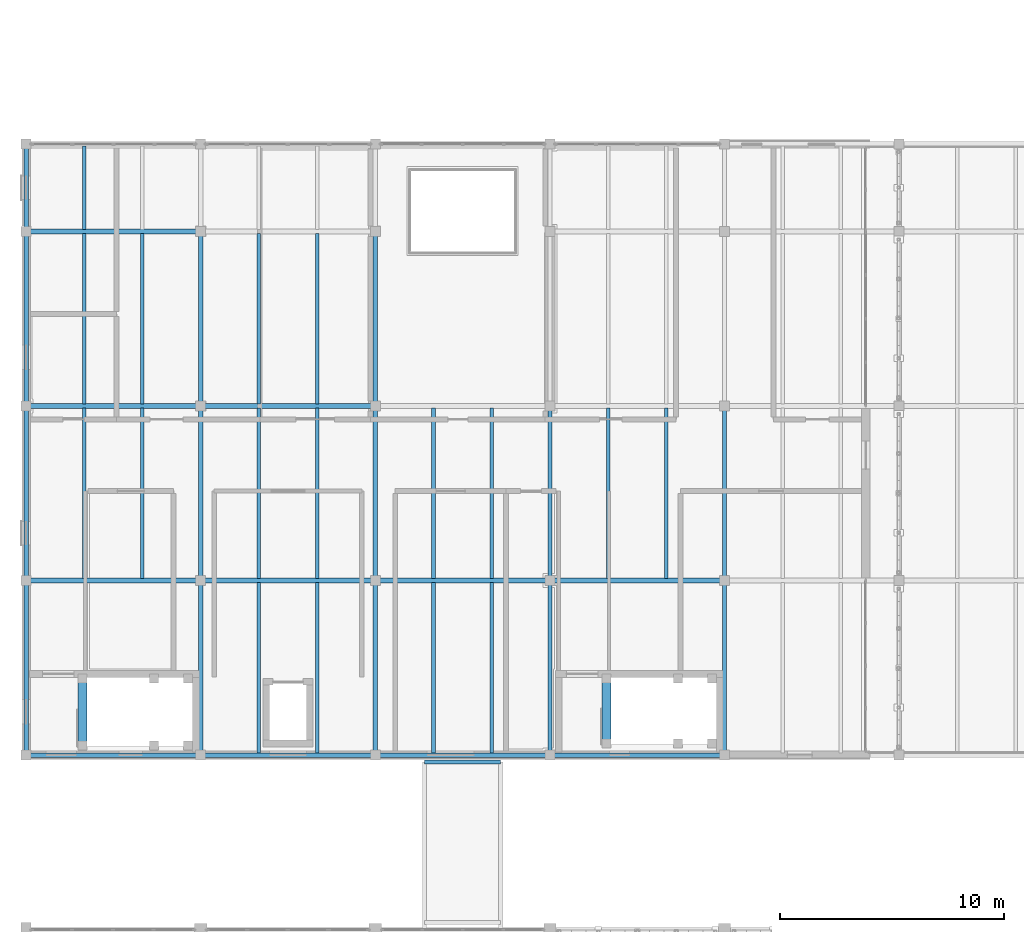
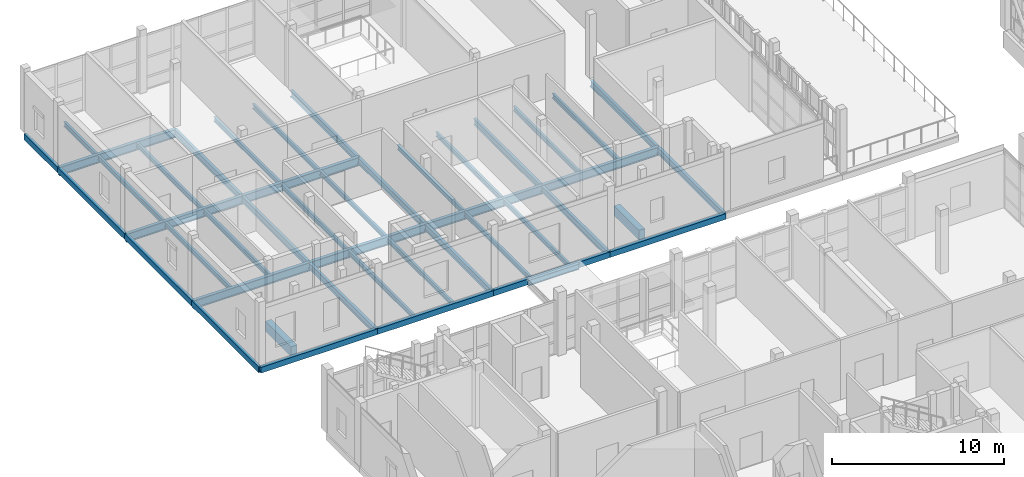
# One storey, part 27 of 119: 45 beams.
"""IFC4 building model written with IfcOpenShell, lengths in metres."""

import ifcopenshell
import ifcopenshell.guid

model = None  # the IFC model being written
_history = None  # IfcOwnerHistory: only IFC2X3 demands one
_inside = {}  # id of a spatial element -> (the spatial element, [elements in it])
_under = {}  # id of a project, library or spatial element -> (it, [spatial elements below it])
_declared = {}  # id of a project -> (the project, [libraries it declares])
_typed = {}  # id of a type object -> (the type object, [elements of that type])
_made_of = {}  # id of a material, layer set ... -> (it, [elements and type objects made of it])


def new_model(schema):
    """Start an empty IFC model of exactly this schema.

    Asked for "IFC4X3", IfcOpenShell would pick the latest addendum, in which some entities
    have other attributes; the version numbers below select the first issue.
    IFC2X3 requires an IfcOwnerHistory on every rooted entity: one is made here for all.
    """
    global model, _history
    if schema == "IFC4X3":
        model = ifcopenshell.file(schema_version=(4, 3, 0, 0))
    else:
        model = ifcopenshell.file(schema=schema)
    _inside.clear()
    _under.clear()
    _declared.clear()
    _typed.clear()
    _made_of.clear()
    _history = None
    if model.schema == "IFC2X3":
        org = make("IfcOrganization", Name="unknown")
        user = make(
            "IfcPersonAndOrganization",
            ThePerson=make("IfcPerson", FamilyName="unknown"),
            TheOrganization=org,
        )
        app = make(
            "IfcApplication",
            ApplicationDeveloper=org,
            Version="unknown",
            ApplicationFullName="unknown",
            ApplicationIdentifier="unknown",
        )
        _history = make(
            "IfcOwnerHistory",
            OwningUser=user,
            OwningApplication=app,
            ChangeAction="ADDED",
            CreationDate=0,
        )
    return model


def make(cls, **values):
    """One entity of the class cls with the attributes given. An attribute that is None is left unset."""
    return model.create_entity(
        cls, **{name: value for name, value in values.items() if value is not None}
    )


def rooted(cls, **values):
    """An entity with a GlobalId (a new one), such as an element, a storey or a relation."""
    return make(cls, GlobalId=ifcopenshell.guid.new(), OwnerHistory=_history, **values)


def si_unit(unit_type, name, prefix=None):
    """IfcSIUnit, for example si_unit("LENGTHUNIT", "METRE", prefix="MILLI")."""
    return make("IfcSIUnit", UnitType=unit_type, Prefix=prefix, Name=name)


def assignment(units):
    """IfcUnitAssignment: the units of a project."""
    return None if units is None else make("IfcUnitAssignment", Units=units)


def point(xyz):
    """IfcCartesianPoint."""
    return None if xyz is None else make("IfcCartesianPoint", Coordinates=xyz)


def direction(xyz):
    """IfcDirection."""
    return None if xyz is None else make("IfcDirection", DirectionRatios=xyz)


def frame(location, z_axis=None, x_axis=None):
    """IfcAxis2Placement3D, a coordinate frame: its origin and axes. An axis left out is left unset."""
    return make(
        "IfcAxis2Placement3D",
        Location=point(location),
        Axis=direction(z_axis),
        RefDirection=direction(x_axis),
    )


def frame_2d(location, x_axis=None):
    """IfcAxis2Placement2D, a coordinate frame in the plane: its origin and x axis."""
    return make(
        "IfcAxis2Placement2D", Location=point(location), RefDirection=direction(x_axis)
    )


def origin():
    """The frame at (0, 0, 0) with its axes left unset."""
    return frame((0.0, 0.0, 0.0))


def origin_2d():
    """The frame at (0, 0) in the plane with its x axis left unset."""
    return frame_2d((0.0, 0.0))


def place(relative_to, where):
    """IfcLocalPlacement: puts the frame where relative to a parent placement (None: the world)."""
    return make(
        "IfcLocalPlacement", PlacementRelTo=relative_to, RelativePlacement=where
    )


def context(
    kind, dimensions, precision=None, world=None, true_north=None, identifier=None
):
    """IfcGeometricRepresentationContext, for example the 3D "Model" context."""
    return make(
        "IfcGeometricRepresentationContext",
        ContextIdentifier=identifier,
        ContextType=kind,
        CoordinateSpaceDimension=dimensions,
        Precision=precision,
        WorldCoordinateSystem=world,
        TrueNorth=true_north,
    )


def subcontext(parent, identifier, kind, view, scale=None):
    """IfcGeometricRepresentationSubContext, for example "Body" below "Model"."""
    return make(
        "IfcGeometricRepresentationSubContext",
        ContextIdentifier=identifier,
        ContextType=kind,
        ParentContext=parent,
        TargetScale=scale,
        TargetView=view,
    )


def project(units=None, contexts=None):
    """IfcProject with its units and contexts."""
    return rooted(
        "IfcProject",
        Name="project",
        RepresentationContexts=contexts,
        UnitsInContext=assignment(units),
    )


def spatial(cls, under=None, at=None, **own):
    """A site, building, storey or space (cls), placed at a placement, below another one or the project."""
    s = rooted(cls, ObjectPlacement=at, **own)
    if under is not None:
        _under.setdefault(under.id(), (under, []))[1].append(s)
    return s


def profile(cls, at=None, kind="AREA", **sizes):
    """A parametric profile (cls). Its sizes go by their IFC names, for example OverallWidth=200.0."""
    return make(cls, ProfileType=kind, Position=at, **sizes)


def rectangle(**sizes):
    """IfcRectangleProfileDef."""
    return profile("IfcRectangleProfileDef", **sizes)


def hollow_rectangle(**sizes):
    """IfcRectangleHollowProfileDef."""
    return profile("IfcRectangleHollowProfileDef", **sizes)


def i_section(**sizes):
    """IfcIShapeProfileDef."""
    return profile("IfcIShapeProfileDef", **sizes)


def extrude(swept, where, along, depth):
    """IfcExtrudedAreaSolid: the profile swept, set in the frame where, extruded along a direction by depth."""
    return make(
        "IfcExtrudedAreaSolid",
        SweptArea=swept,
        Position=where,
        ExtrudedDirection=direction(along),
        Depth=depth,
    )


def shape(context_of_items, identifier, shape_type, items):
    """IfcShapeRepresentation: the items that make up one representation, for example the "Body"."""
    return make(
        "IfcShapeRepresentation",
        ContextOfItems=context_of_items,
        RepresentationIdentifier=identifier,
        RepresentationType=shape_type,
        Items=items,
    )


def material(Name=None, Category=None):
    """IfcMaterial."""
    return make("IfcMaterial", Name=Name, Category=Category)


def material_profile(
    of_material, cross_section, Name=None, Category=None, Priority=None
):
    """IfcMaterialProfile: a cross section and its material."""
    return make(
        "IfcMaterialProfile",
        Name=Name,
        Material=of_material,
        Profile=cross_section,
        Priority=Priority,
        Category=Category,
    )


def profile_set(profiles, Name=None, composite=None):
    """IfcMaterialProfileSet."""
    return make(
        "IfcMaterialProfileSet",
        Name=Name,
        MaterialProfiles=profiles,
        CompositeProfile=composite,
    )


def made_of(thing, what):
    """Note that an element or type object is made of a material, layer set ...; save() writes the relation."""
    if what is not None:
        _made_of.setdefault(what.id(), (what, []))[1].append(thing)
    return thing


def type_object(cls, material=None, **own):
    """A type object (cls), such as IfcWallType, which elements share."""
    return made_of(rooted(cls, **own), material)


def element(
    cls,
    number,
    at=None,
    inside=None,
    cuts=None,
    type_object=None,
    material=None,
    context=None,
    identifier="Body",
    shape_type=None,
    held_by="IfcProductDefinitionShape",
    body=None,
    shapes=None,
    **own,
):
    """One element of the class cls, such as IfcWall. Its Tag is "e" and its number.

    at: its placement. inside: the storey or other place that contains it. cuts: it is an
    opening in that element (IfcRelVoidsElement). A single representation is given by context,
    identifier, shape_type and body (its items); several are given by shapes. held_by: the class
    of the entity that holds the representations. save() writes the other relations.
    """
    e = rooted(cls, Tag="e%d" % number, ObjectPlacement=at, **own)
    if body is not None:
        shapes = [shape(context, identifier, shape_type, body)]
    if shapes is not None:
        e.Representation = make(held_by, Representations=shapes)
    if inside is not None:
        _inside.setdefault(inside.id(), (inside, []))[1].append(e)
    if cuts is not None:
        rooted(
            "IfcRelVoidsElement", RelatingBuildingElement=cuts, RelatedOpeningElement=e
        )
    if type_object is not None:
        _typed.setdefault(type_object.id(), (type_object, []))[1].append(e)
    return made_of(e, material)


def aggregate(whole, parts):
    """IfcRelAggregates: a whole, such as a stair, and the parts it consists of."""
    return rooted("IfcRelAggregates", RelatingObject=whole, RelatedObjects=parts)


def save(model, path):
    """Write the relations noted so far, then the file.

    IfcRelAggregates (storeys below a building ...), IfcRelContainedInSpatialStructure (elements
    in a storey), IfcRelDefinesByType, IfcRelAssociatesMaterial and IfcRelDeclares: one each for
    every whole, place, type object, material and project.
    """
    for whole, parts in _under.values():
        aggregate(whole, parts)
    for where, things in _inside.values():
        rooted(
            "IfcRelContainedInSpatialStructure",
            RelatedElements=things,
            RelatingStructure=where,
        )
    for kind, things in _typed.values():
        rooted("IfcRelDefinesByType", RelatedObjects=things, RelatingType=kind)
    for what, things in _made_of.values():
        rooted("IfcRelAssociatesMaterial", RelatedObjects=things, RelatingMaterial=what)
    for by, libraries in _declared.values():
        rooted("IfcRelDeclares", RelatingContext=by, RelatedDefinitions=libraries)
    model.write(path)


model = new_model("IFC4")

# Units and contexts
model_context = context("Model", 3, precision=1e-05, world=origin(), true_north=direction((0.0, 1.0)))
body_context = subcontext(model_context, "Body", "Model", "MODEL_VIEW")
ifc_project = project(units=[si_unit("LENGTHUNIT", "METRE"), si_unit("AREAUNIT", "SQUARE_METRE"), si_unit("VOLUMEUNIT", "CUBIC_METRE"), si_unit("PLANEANGLEUNIT", "RADIAN"), si_unit("MASSUNIT", "GRAM", prefix="KILO")], contexts=[model_context])

# Site, building, storey
site_placement = place(None, origin())
site = spatial("IfcSite", under=ifc_project, at=site_placement, CompositionType="ELEMENT")
building_placement = place(site_placement, origin())
building = spatial("IfcBuilding", under=site, at=building_placement, Name="Celorna Specialist Clinic", CompositionType="ELEMENT")
storey_placement = place(building_placement, frame((0.0, 0.0, 9.60009765625)))
storey = spatial("IfcBuildingStorey", under=building, at=storey_placement, Name="L02", CompositionType="ELEMENT", Elevation=9.60009765625)

# Beams
ifc_material_1 = material(Name="Steel S355", Category="steel")
ifc_material_profile_1 = material_profile(ifc_material_1, i_section(OverallWidth=0.219970703125, OverallDepth=0.60009765625, WebThickness=0.011962890625, FlangeThickness=0.01904296875, at=origin_2d()), Name="IPE 600")
ifc_profile_set_1 = profile_set([ifc_material_profile_1], Name="Steel S355")
beam_type_1 = type_object("IfcBeamType", Name="BM-06", PredefinedType="BEAM", material=ifc_profile_set_1)
for number, where, z_axis, x_axis, name in (
    (1, (0.0, 42.89990234375, -0.56005859375), (1.0, 0.0, 0.0), (0.0, 1.0, 0.0), "Primary girder BM-06 #459"),
    (2, (7.800048828125, 42.89990234375, -0.56005859375), (1.0, 0.0, 0.0), (0.0, 1.0, 0.0), "Primary girder BM-06 #460"),
):
    element("IfcBeam", number, at=place(storey_placement, frame(where, z_axis=z_axis, x_axis=x_axis)), inside=storey, type_object=beam_type_1, Name=name, PredefinedType="BEAM", context=body_context, shape_type="SweptSolid", body=[
        extrude(i_section(OverallWidth=0.219970703125, OverallDepth=0.60009765625, WebThickness=0.011962890625, FlangeThickness=0.01904296875, at=origin_2d()), origin(), (0.0, 0.0, 1.0), 7.800048828125),
    ])
beam_1_placement = place(storey_placement, frame((15.60009765625, 42.89990234375, -0.56005859375), z_axis=(1.0, 0.0, 0.0), x_axis=(0.0, 1.0, 0.0)))
element("IfcBeam", 3, at=beam_1_placement, inside=storey, type_object=beam_type_1, Name="Primary girder BM-06 #461", PredefinedType="BEAM", context=body_context, shape_type="SweptSolid", body=[
    extrude(i_section(OverallWidth=0.219970703125, OverallDepth=0.60009765625, WebThickness=0.011962890625, FlangeThickness=0.01904296875, at=origin_2d()), origin(), (0.0, 0.0, 1.0), 7.7998046875),
])
for number, where, z_axis, x_axis, name in (
    (4, (23.39990234375, 42.89990234375, -0.56005859375), (1.0, 0.0, 0.0), (0.0, 1.0, 0.0), "Primary girder BM-06 #462"),
    (5, (0.0, 50.699951171875, -0.56005859375), (1.0, 0.0, 0.0), (0.0, 1.0, 0.0), "Primary girder BM-06 #464"),
    (6, (7.800048828125, 50.699951171875, -0.56005859375), (1.0, 0.0, 0.0), (0.0, 1.0, 0.0), "Primary girder BM-06 #465"),
    (7, (0.0, 58.5, -0.56005859375), (1.0, 0.0, 0.0), (0.0, 1.0, 0.0), "Primary girder BM-06 #469"),
):
    element("IfcBeam", number, at=place(storey_placement, frame(where, z_axis=z_axis, x_axis=x_axis)), inside=storey, type_object=beam_type_1, Name=name, PredefinedType="BEAM", context=body_context, shape_type="SweptSolid", body=[
        extrude(i_section(OverallWidth=0.219970703125, OverallDepth=0.60009765625, WebThickness=0.011962890625, FlangeThickness=0.01904296875, at=origin_2d()), origin(), (0.0, 0.0, 1.0), 7.800048828125),
    ])
ifc_material_profile_2 = material_profile(ifc_material_1, i_section(OverallWidth=0.18994140625, OverallDepth=0.449951171875, WebThickness=0.009521484375, FlangeThickness=0.0146484375, at=origin_2d()), Name="IPE 450")
ifc_profile_set_2 = profile_set([ifc_material_profile_2], Name="Steel S355")
beam_type_2 = type_object("IfcBeamType", Name="BM-09", PredefinedType="BEAM", material=ifc_profile_set_2)
beam_2_placement = place(storey_placement, frame((7.800048828125, 35.10009765625, -0.485107421875), z_axis=(0.0, 1.0, 0.0), x_axis=(-1.0, 0.0, 0.0)))
element("IfcBeam", 8, at=beam_2_placement, inside=storey, type_object=beam_type_2, Name="Transverse girder BM-09 #482", PredefinedType="BEAM", context=body_context, shape_type="SweptSolid", body=[
    extrude(i_section(OverallWidth=0.18994140625, OverallDepth=0.449951171875, WebThickness=0.009521484375, FlangeThickness=0.0146484375, at=origin_2d()), origin(), (0.0, 0.0, 1.0), 7.7998046875),
])
for number, where, z_axis, x_axis, name in (
    (9, (7.800048828125, 42.89990234375, -0.485107421875), (0.0, 1.0, 0.0), (-1.0, 0.0, 0.0), "Transverse girder BM-09 #483"),
    (10, (7.800048828125, 50.699951171875, -0.485107421875), (0.0, 1.0, 0.0), (-1.0, 0.0, 0.0), "Transverse girder BM-09 #484"),
):
    element("IfcBeam", number, at=place(storey_placement, frame(where, z_axis=z_axis, x_axis=x_axis)), inside=storey, type_object=beam_type_2, Name=name, PredefinedType="BEAM", context=body_context, shape_type="SweptSolid", body=[
        extrude(i_section(OverallWidth=0.18994140625, OverallDepth=0.449951171875, WebThickness=0.009521484375, FlangeThickness=0.0146484375, at=origin_2d()), origin(), (0.0, 0.0, 1.0), 7.800048828125),
    ])
beam_3_placement = place(storey_placement, frame((15.60009765625, 35.10009765625, -0.485107421875), z_axis=(0.0, 1.0, 0.0), x_axis=(-1.0, 0.0, 0.0)))
element("IfcBeam", 11, at=beam_3_placement, inside=storey, type_object=beam_type_2, Name="Transverse girder BM-09 #486", PredefinedType="BEAM", context=body_context, shape_type="SweptSolid", body=[
    extrude(i_section(OverallWidth=0.18994140625, OverallDepth=0.449951171875, WebThickness=0.009521484375, FlangeThickness=0.0146484375, at=origin_2d()), origin(), (0.0, 0.0, 1.0), 7.7998046875),
])
for number, where, z_axis, x_axis, name in (
    (12, (15.60009765625, 42.89990234375, -0.485107421875), (0.0, 1.0, 0.0), (-1.0, 0.0, 0.0), "Transverse girder BM-09 #487"),
    (13, (15.60009765625, 50.699951171875, -0.485107421875), (0.0, 1.0, 0.0), (-1.0, 0.0, 0.0), "Transverse girder BM-09 #488"),
):
    element("IfcBeam", number, at=place(storey_placement, frame(where, z_axis=z_axis, x_axis=x_axis)), inside=storey, type_object=beam_type_2, Name=name, PredefinedType="BEAM", context=body_context, shape_type="SweptSolid", body=[
        extrude(i_section(OverallWidth=0.18994140625, OverallDepth=0.449951171875, WebThickness=0.009521484375, FlangeThickness=0.0146484375, at=origin_2d()), origin(), (0.0, 0.0, 1.0), 7.800048828125),
    ])
beam_4_placement = place(storey_placement, frame((23.39990234375, 35.10009765625, -0.485107421875), z_axis=(0.0, 1.0, 0.0), x_axis=(-1.0, 0.0, 0.0)))
element("IfcBeam", 14, at=beam_4_placement, inside=storey, type_object=beam_type_2, Name="Transverse girder BM-09 #490", PredefinedType="BEAM", context=body_context, shape_type="SweptSolid", body=[
    extrude(i_section(OverallWidth=0.18994140625, OverallDepth=0.449951171875, WebThickness=0.009521484375, FlangeThickness=0.0146484375, at=origin_2d()), origin(), (0.0, 0.0, 1.0), 7.7998046875),
])
beam_5_placement = place(storey_placement, frame((23.39990234375, 42.89990234375, -0.485107421875), z_axis=(0.0, 1.0, 0.0), x_axis=(-1.0, 0.0, 0.0)))
element("IfcBeam", 15, at=beam_5_placement, inside=storey, type_object=beam_type_2, Name="Transverse girder BM-09 #491", PredefinedType="BEAM", context=body_context, shape_type="SweptSolid", body=[
    extrude(i_section(OverallWidth=0.18994140625, OverallDepth=0.449951171875, WebThickness=0.009521484375, FlangeThickness=0.0146484375, at=origin_2d()), origin(), (0.0, 0.0, 1.0), 7.800048828125),
])
beam_6_placement = place(storey_placement, frame((31.199951171875, 35.10009765625, -0.485107421875), z_axis=(0.0, 1.0, 0.0), x_axis=(-1.0, 0.0, 0.0)))
element("IfcBeam", 16, at=beam_6_placement, inside=storey, type_object=beam_type_2, Name="Transverse girder BM-09 #494", PredefinedType="BEAM", context=body_context, shape_type="SweptSolid", body=[
    extrude(i_section(OverallWidth=0.18994140625, OverallDepth=0.449951171875, WebThickness=0.009521484375, FlangeThickness=0.0146484375, at=origin_2d()), origin(), (0.0, 0.0, 1.0), 7.7998046875),
])
beam_7_placement = place(storey_placement, frame((31.199951171875, 42.89990234375, -0.485107421875), z_axis=(0.0, 1.0, 0.0), x_axis=(-1.0, 0.0, 0.0)))
element("IfcBeam", 17, at=beam_7_placement, inside=storey, type_object=beam_type_2, Name="Transverse girder BM-09 #495", PredefinedType="BEAM", context=body_context, shape_type="SweptSolid", body=[
    extrude(i_section(OverallWidth=0.18994140625, OverallDepth=0.449951171875, WebThickness=0.009521484375, FlangeThickness=0.0146484375, at=origin_2d()), origin(), (0.0, 0.0, 1.0), 7.800048828125),
])
ifc_material_profile_3 = material_profile(ifc_material_1, i_section(OverallWidth=0.179931640625, OverallDepth=0.39990234375, WebThickness=0.008544921875, FlangeThickness=0.013427734375, at=origin_2d()), Name="IPE 400")
ifc_profile_set_3 = profile_set([ifc_material_profile_3], Name="Steel S355")
beam_type_3 = type_object("IfcBeamType", Name="BM-10", PredefinedType="BEAM", material=ifc_profile_set_3)
beam_8_placement = place(storey_placement, frame((17.800048828125, 34.800048828125, -0.340087890625), z_axis=(1.0, 0.0, 0.0), x_axis=(0.0, 1.0, 0.0)))
element("IfcBeam", 18, at=beam_8_placement, inside=storey, type_object=beam_type_3, Name="Bridge BR-01 roof end beam BM-10 #75", PredefinedType="BEAM", context=body_context, shape_type="SweptSolid", body=[
    extrude(i_section(OverallWidth=0.179931640625, OverallDepth=0.39990234375, WebThickness=0.008544921875, FlangeThickness=0.013427734375, at=origin_2d()), origin(), (0.0, 0.0, 1.0), 3.39990234375),
])
ifc_material_profile_4 = material_profile(ifc_material_1, i_section(OverallWidth=0.159912109375, OverallDepth=0.330078125, WebThickness=0.007568359375, FlangeThickness=0.011474609375, at=origin_2d()), Name="IPE 330")
ifc_profile_set_4 = profile_set([ifc_material_profile_4], Name="Steel S355")
beam_type_4 = type_object("IfcBeamType", Name="BM-12", PredefinedType="JOIST", material=ifc_profile_set_4)
for number, where, z_axis, x_axis, name in (
    (19, (2.60009765625, 42.988037109375, -0.425048828125), (0.0, 1.0, 0.0), (-1.0, 0.0, 0.0), "Secondary floor joist BM-12 #502"),
    (20, (5.199951171875, 42.988037109375, -0.425048828125), (0.0, 1.0, 0.0), (-1.0, 0.0, 0.0), "Secondary floor joist BM-12 #503"),
    (21, (2.60009765625, 50.7880859375, -0.425048828125), (0.0, 1.0, 0.0), (-1.0, 0.0, 0.0), "Secondary floor joist BM-12 #504"),
    (22, (5.199951171875, 50.7880859375, -0.425048828125), (0.0, 1.0, 0.0), (-1.0, 0.0, 0.0), "Secondary floor joist BM-12 #505"),
):
    element("IfcBeam", number, at=place(storey_placement, frame(where, z_axis=z_axis, x_axis=x_axis)), inside=storey, type_object=beam_type_4, Name=name, PredefinedType="JOIST", context=body_context, shape_type="SweptSolid", body=[
        extrude(i_section(OverallWidth=0.159912109375, OverallDepth=0.330078125, WebThickness=0.007568359375, FlangeThickness=0.011474609375, at=origin_2d()), origin(), (0.0, 0.0, 1.0), 7.6240234375),
    ])
beam_9_placement = place(storey_placement, frame((2.60009765625, 58.587890625, -0.425048828125), z_axis=(0.0, 1.0, 0.0), x_axis=(-1.0, 0.0, 0.0)))
element("IfcBeam", 23, at=beam_9_placement, inside=storey, type_object=beam_type_4, Name="Secondary floor joist BM-12 #506", PredefinedType="JOIST", context=body_context, shape_type="SweptSolid", body=[
    extrude(i_section(OverallWidth=0.159912109375, OverallDepth=0.330078125, WebThickness=0.007568359375, FlangeThickness=0.011474609375, at=origin_2d()), origin(), (0.0, 0.0, 1.0), 3.72412109375),
])
for number, where, z_axis, x_axis, name in (
    (24, (10.39990234375, 35.18798828125, -0.425048828125), (0.0, 1.0, 0.0), (-1.0, 0.0, 0.0), "Secondary floor joist BM-12 #508"),
    (25, (13.0, 35.18798828125, -0.425048828125), (0.0, 1.0, 0.0), (-1.0, 0.0, 0.0), "Secondary floor joist BM-12 #509"),
    (26, (10.39990234375, 42.988037109375, -0.425048828125), (0.0, 1.0, 0.0), (-1.0, 0.0, 0.0), "Secondary floor joist BM-12 #510"),
    (27, (13.0, 42.988037109375, -0.425048828125), (0.0, 1.0, 0.0), (-1.0, 0.0, 0.0), "Secondary floor joist BM-12 #511"),
    (28, (10.39990234375, 50.7880859375, -0.425048828125), (0.0, 1.0, 0.0), (-1.0, 0.0, 0.0), "Secondary floor joist BM-12 #512"),
    (29, (13.0, 50.7880859375, -0.425048828125), (0.0, 1.0, 0.0), (-1.0, 0.0, 0.0), "Secondary floor joist BM-12 #513"),
    (30, (18.199951171875, 35.18798828125, -0.425048828125), (0.0, 1.0, 0.0), (-1.0, 0.0, 0.0), "Secondary floor joist BM-12 #516"),
    (31, (20.800048828125, 35.18798828125, -0.425048828125), (0.0, 1.0, 0.0), (-1.0, 0.0, 0.0), "Secondary floor joist BM-12 #517"),
    (32, (18.199951171875, 42.988037109375, -0.425048828125), (0.0, 1.0, 0.0), (-1.0, 0.0, 0.0), "Secondary floor joist BM-12 #518"),
    (33, (20.800048828125, 42.988037109375, -0.425048828125), (0.0, 1.0, 0.0), (-1.0, 0.0, 0.0), "Secondary floor joist BM-12 #519"),
    (34, (26.0, 42.988037109375, -0.425048828125), (0.0, 1.0, 0.0), (-1.0, 0.0, 0.0), "Secondary floor joist BM-12 #520"),
    (35, (28.60009765625, 42.988037109375, -0.425048828125), (0.0, 1.0, 0.0), (-1.0, 0.0, 0.0), "Secondary floor joist BM-12 #521"),
):
    element("IfcBeam", number, at=place(storey_placement, frame(where, z_axis=z_axis, x_axis=x_axis)), inside=storey, type_object=beam_type_4, Name=name, PredefinedType="JOIST", context=body_context, shape_type="SweptSolid", body=[
        extrude(i_section(OverallWidth=0.159912109375, OverallDepth=0.330078125, WebThickness=0.007568359375, FlangeThickness=0.011474609375, at=origin_2d()), origin(), (0.0, 0.0, 1.0), 7.6240234375),
    ])
ifc_material_profile_5 = material_profile(ifc_material_1, hollow_rectangle(XDim=0.199951171875, YDim=0.39990234375, WallThickness=0.011962890625, at=origin_2d()), Name="RHS 200x400x12")
ifc_profile_set_5 = profile_set([ifc_material_profile_5], Name="Steel S355")
beam_type_5 = type_object("IfcBeamType", Name="BM-15", PredefinedType="SPANDREL", material=ifc_profile_set_5)
for number, where, z_axis, x_axis, name in (
    (36, (0.0, 35.10009765625, -0.460205078125), (1.0, 0.0, 0.0), (0.0, 1.0, 0.0), "Spandrel beam BM-15 #454"),
    (37, (7.800048828125, 35.10009765625, -0.460205078125), (1.0, 0.0, 0.0), (0.0, 1.0, 0.0), "Spandrel beam BM-15 #455"),
):
    element("IfcBeam", number, at=place(storey_placement, frame(where, z_axis=z_axis, x_axis=x_axis)), inside=storey, type_object=beam_type_5, Name=name, PredefinedType="SPANDREL", context=body_context, shape_type="SweptSolid", body=[
        extrude(hollow_rectangle(XDim=0.199951171875, YDim=0.39990234375, WallThickness=0.011962890625, at=origin_2d()), origin(), (0.0, 0.0, 1.0), 7.800048828125),
    ])
beam_10_placement = place(storey_placement, frame((15.60009765625, 35.10009765625, -0.460205078125), z_axis=(1.0, 0.0, 0.0), x_axis=(0.0, 1.0, 0.0)))
element("IfcBeam", 38, at=beam_10_placement, inside=storey, type_object=beam_type_5, Name="Spandrel beam BM-15 #456", PredefinedType="SPANDREL", context=body_context, shape_type="SweptSolid", body=[
    extrude(hollow_rectangle(XDim=0.199951171875, YDim=0.39990234375, WallThickness=0.011962890625, at=origin_2d()), origin(), (0.0, 0.0, 1.0), 7.7998046875),
])
beam_11_placement = place(storey_placement, frame((23.39990234375, 35.10009765625, -0.460205078125), z_axis=(1.0, 0.0, 0.0), x_axis=(0.0, 1.0, 0.0)))
element("IfcBeam", 39, at=beam_11_placement, inside=storey, type_object=beam_type_5, Name="Spandrel beam BM-15 #457", PredefinedType="SPANDREL", context=body_context, shape_type="SweptSolid", body=[
    extrude(hollow_rectangle(XDim=0.199951171875, YDim=0.39990234375, WallThickness=0.011962890625, at=origin_2d()), origin(), (0.0, 0.0, 1.0), 7.800048828125),
])
beam_12_placement = place(storey_placement, frame((0.0, 35.10009765625, -0.460205078125), z_axis=(0.0, 1.0, 0.0), x_axis=(-1.0, 0.0, 0.0)))
element("IfcBeam", 40, at=beam_12_placement, inside=storey, type_object=beam_type_5, Name="Spandrel beam BM-15 #478", PredefinedType="SPANDREL", context=body_context, shape_type="SweptSolid", body=[
    extrude(hollow_rectangle(XDim=0.199951171875, YDim=0.39990234375, WallThickness=0.011962890625, at=origin_2d()), origin(), (0.0, 0.0, 1.0), 7.7998046875),
])
for number, where, z_axis, x_axis, name in (
    (41, (0.0, 42.89990234375, -0.460205078125), (0.0, 1.0, 0.0), (-1.0, 0.0, 0.0), "Spandrel beam BM-15 #479"),
    (42, (0.0, 50.699951171875, -0.460205078125), (0.0, 1.0, 0.0), (-1.0, 0.0, 0.0), "Spandrel beam BM-15 #480"),
):
    element("IfcBeam", number, at=place(storey_placement, frame(where, z_axis=z_axis, x_axis=x_axis)), inside=storey, type_object=beam_type_5, Name=name, PredefinedType="SPANDREL", context=body_context, shape_type="SweptSolid", body=[
        extrude(hollow_rectangle(XDim=0.199951171875, YDim=0.39990234375, WallThickness=0.011962890625, at=origin_2d()), origin(), (0.0, 0.0, 1.0), 7.800048828125),
    ])
beam_13_placement = place(storey_placement, frame((0.0, 58.5, -0.460205078125), z_axis=(0.0, 1.0, 0.0), x_axis=(-1.0, 0.0, 0.0)))
element("IfcBeam", 43, at=beam_13_placement, inside=storey, type_object=beam_type_5, Name="Spandrel beam BM-15 #481", PredefinedType="SPANDREL", context=body_context, shape_type="SweptSolid", body=[
    extrude(hollow_rectangle(XDim=0.199951171875, YDim=0.39990234375, WallThickness=0.011962890625, at=origin_2d()), origin(), (0.0, 0.0, 1.0), 3.89990234375),
])
ifc_material_2 = material(Name="Concrete C35/45", Category="concrete")
ifc_material_profile_6 = material_profile(ifc_material_2, rectangle(XDim=0.39990234375, YDim=0.699951171875, at=origin_2d()), Name="RC 400x700")
ifc_profile_set_6 = profile_set([ifc_material_profile_6], Name="Concrete C35/45")
beam_type_6 = type_object("IfcBeamType", Name="BM-19", PredefinedType="BEAM", material=ifc_profile_set_6)
beam_14_placement = place(storey_placement, frame((2.52001953125, 35.530029296875, -0.275146484375), z_axis=(0.0, 1.0, 0.0), x_axis=(-1.0, 0.0, 0.0)))
element("IfcBeam", 44, at=beam_14_placement, inside=storey, type_object=beam_type_6, Name="Stair ST-06 floor landing trimmer beam L02", PredefinedType="BEAM", context=body_context, shape_type="SweptSolid", body=[
    extrude(rectangle(XDim=0.39990234375, YDim=0.699951171875, at=origin_2d()), origin(), (0.0, 0.0, 1.0), 3.0),
])
beam_15_placement = place(storey_placement, frame((25.919921875, 35.6298828125, -0.275146484375), z_axis=(0.0, 1.0, 0.0), x_axis=(-1.0, 0.0, 0.0)))
element("IfcBeam", 45, at=beam_15_placement, inside=storey, type_object=beam_type_6, Name="Stair ST-07 floor landing trimmer beam L02", PredefinedType="BEAM", context=body_context, shape_type="SweptSolid", body=[
    extrude(rectangle(XDim=0.39990234375, YDim=0.699951171875, at=origin_2d()), origin(), (0.0, 0.0, 1.0), 2.900146484375),
])

save(model, "model.ifc")
